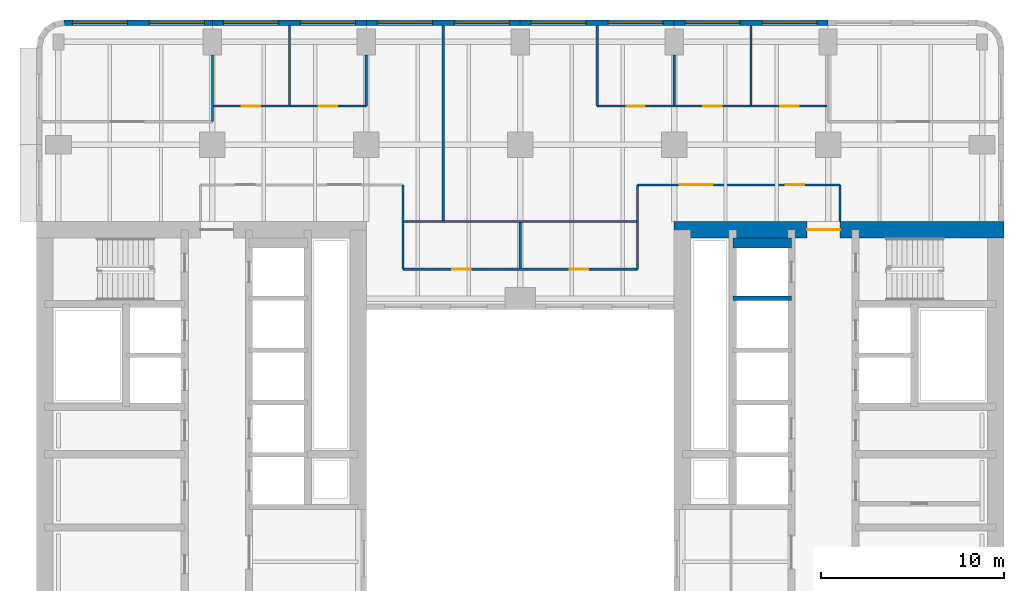
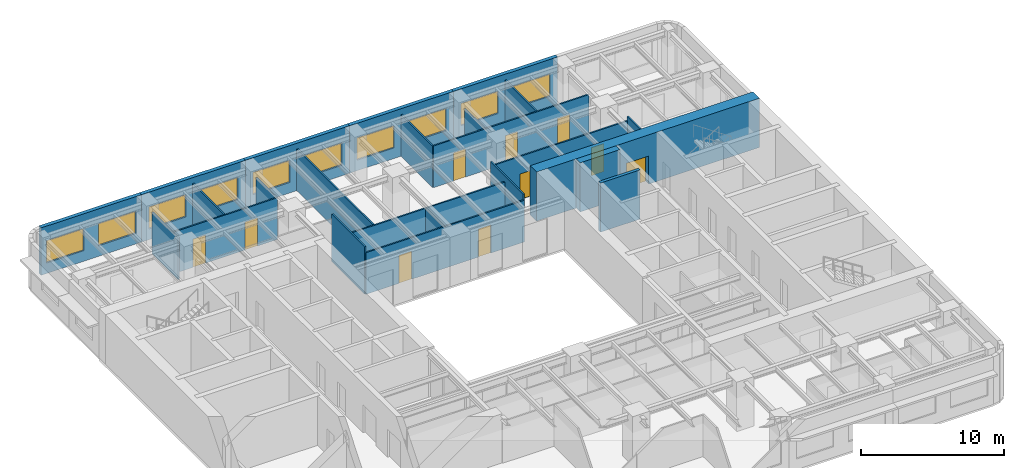
# One storey, part 7 of 11: 24 walls, 10 doors, 10 windows, 20 openings.
"""IFC4 building model written with IfcOpenShell, lengths in metres."""

from ifc_helpers import new_model, si_unit, direction, frame, frame_2d, origin, place, context, subcontext, project, spatial, rectangle, extrude, material, layer, layer_set, type_object, element, fill, save


model = new_model("IFC4")

# Units and contexts
model_context = context("Model", 3, precision=1e-05, world=origin(), true_north=direction((0.0, 1.0)))
body_context = subcontext(model_context, "Body", "Model", "MODEL_VIEW")
ifc_project = project(units=[si_unit("LENGTHUNIT", "METRE"), si_unit("AREAUNIT", "SQUARE_METRE"), si_unit("VOLUMEUNIT", "CUBIC_METRE"), si_unit("PLANEANGLEUNIT", "RADIAN"), si_unit("MASSUNIT", "GRAM", prefix="KILO")], contexts=[model_context])

# Site, building, storey
site_placement = place(None, origin())
site = spatial("IfcSite", under=ifc_project, at=site_placement, CompositionType="ELEMENT")
building_placement = place(site_placement, origin())
building = spatial("IfcBuilding", under=site, at=building_placement, Name="Claustro Exchange Tower", CompositionType="ELEMENT")
storey_placement = place(building_placement, frame((0.0, 0.0, 151.199951171875)))
storey = spatial("IfcBuildingStorey", under=building, at=storey_placement, Name="L34", CompositionType="ELEMENT", Elevation=151.199951171875)

# Wall, openings, doors
ifc_material_1 = material(Name="Laminated glass in aluminium frame", Category="aluminium")
ifc_layer_1 = layer(ifc_material_1, 0.1201171875)
ifc_layer_set_1 = layer_set([ifc_layer_1], Name="Laminated glass in aluminium frame")
wall_type_1 = type_object("IfcWallType", Name="P2 120 glazed partition", PredefinedType="PARTITIONING", material=ifc_layer_set_1)
wall_1_placement = place(storey_placement, frame((8.4580078125, 44.10009765625, 0.0), z_axis=(0.0, 0.0, 1.0), x_axis=(1.0, 0.0, 0.0)))
wall_1 = element("IfcWall", 1, at=wall_1_placement, inside=storey, type_object=wall_type_1, Name="Partition P2 L34", PredefinedType="PARTITIONING", context=body_context, shape_type="SweptSolid", body=[
    extrude(rectangle(XDim=8.342041015625, YDim=0.1201171875, at=frame_2d((4.1708984375, 0.0))), origin(), (0.0, 0.0, 1.0), 3.550048828125),
])
opening_1_placement = place(wall_1_placement, frame((1.5419921875, 0.0, 0.0)))
opening_1 = element("IfcOpeningElement", 2, at=opening_1_placement, cuts=wall_1, Name="Opening D7", PredefinedType="OPENING", context=body_context, shape_type="SweptSolid", body=[
    extrude(rectangle(XDim=1.0, YDim=2.39990234375, at=frame_2d((0.5, 1.199951171875))), frame((0.0, 0.070068359375, 0.0), z_axis=(0.0, -1.0, 0.0), x_axis=(1.0, 0.0, 0.0)), (0.0, 0.0, 1.0), 0.14013671875),
])
opening_2_placement = place(wall_1_placement, frame((5.741943359375, 0.0, 0.0)))
opening_2 = element("IfcOpeningElement", 3, at=opening_2_placement, cuts=wall_1, Name="Opening D7", PredefinedType="OPENING", context=body_context, shape_type="SweptSolid", body=[
    extrude(rectangle(XDim=1.0, YDim=2.39990234375, at=frame_2d((0.5, 1.199951171875))), frame((0.0, 0.070068359375, 0.0), z_axis=(0.0, -1.0, 0.0), x_axis=(1.0, 0.0, 0.0)), (0.0, 0.0, 1.0), 0.14013671875),
])
ifc_material_2 = material(Name="Glass door in aluminium frame", Category="aluminium")
door_type_1 = type_object("IfcDoorType", Name="D7 1000 x 2400 glazed door", OperationType="SINGLE_SWING_LEFT", PredefinedType="DOOR", material=ifc_material_2)
door_1_placement = place(opening_1_placement, origin())
door_1 = element("IfcDoor", 4, at=door_1_placement, inside=storey, type_object=door_type_1, Name="Door D7 L34", OperationType="SINGLE_SWING_RIGHT", OverallHeight=2.39990234375, OverallWidth=1.0, PredefinedType="DOOR", context=body_context, shape_type="SweptSolid", body=[
    extrude(rectangle(XDim=1.0, YDim=2.39990234375, at=frame_2d((0.5, 1.199951171875))), frame((0.0, 0.02490234375, 0.0), z_axis=(0.0, -1.0, 0.0), x_axis=(1.0, 0.0, 0.0)), (0.0, 0.0, 1.0), 0.050048828125),
])
fill(opening_1, door_1)
door_2_placement = place(opening_2_placement, origin())
door_2 = element("IfcDoor", 5, at=door_2_placement, inside=storey, type_object=door_type_1, Name="Door D7 L34", OperationType="SINGLE_SWING_LEFT", OverallHeight=2.39990234375, OverallWidth=1.0, PredefinedType="DOOR", context=body_context, shape_type="SweptSolid", body=[
    extrude(rectangle(XDim=1.0, YDim=2.39990234375, at=frame_2d((0.5, 1.199951171875))), frame((0.0, 0.02490234375, 0.0), z_axis=(0.0, -1.0, 0.0), x_axis=(1.0, 0.0, 0.0)), (0.0, 0.0, 1.0), 0.050048828125),
])
fill(opening_2, door_2)

# Walls
wall_2_placement = place(storey_placement, frame((8.39990234375, 43.25, 0.0), z_axis=(0.0, 0.0, 1.0), x_axis=(0.0, 1.0, 0.0)))
element("IfcWall", 6, at=wall_2_placement, inside=storey, type_object=wall_type_1, Name="Partition P2 L34", PredefinedType="PARTITIONING", context=body_context, shape_type="SweptSolid", body=[
    extrude(rectangle(XDim=3.65087890625, YDim=0.1201171875, at=frame_2d((1.825439453125, 0.0))), origin(), (0.0, 0.0, 1.0), 3.550048828125),
])
wall_3_placement = place(storey_placement, frame((12.60009765625, 44.157958984375, 0.0), z_axis=(0.0, 0.0, 1.0), x_axis=(0.0, 1.0, 0.0)))
element("IfcWall", 7, at=wall_3_placement, inside=storey, type_object=wall_type_1, Name="Partition P2 L34", PredefinedType="PARTITIONING", context=body_context, shape_type="SweptSolid", body=[
    extrude(rectangle(XDim=4.343994140625, YDim=0.1201171875, at=frame_2d((2.171875, 0.0))), origin(), (0.0, 0.0, 1.0), 3.56005859375),
])
wall_4_placement = place(storey_placement, frame((16.800048828125, 44.10009765625, 0.0), z_axis=(0.0, 0.0, 1.0), x_axis=(0.0, 1.0, 0.0)))
element("IfcWall", 8, at=wall_4_placement, inside=storey, type_object=wall_type_1, Name="Partition P2 L34", PredefinedType="PARTITIONING", context=body_context, shape_type="SweptSolid", body=[
    extrude(rectangle(XDim=2.80078125, YDim=0.1201171875, at=frame_2d((1.400390625, 0.0))), origin(), (0.0, 0.0, 1.0), 3.550048828125),
])

# Wall, openings, doors
wall_5_placement = place(storey_placement, frame((29.39990234375, 44.10009765625, 0.0), z_axis=(0.0, 0.0, 1.0), x_axis=(1.0, 0.0, 0.0)))
wall_5 = element("IfcWall", 9, at=wall_5_placement, inside=storey, type_object=wall_type_1, Name="Partition P2 L34", PredefinedType="PARTITIONING", context=body_context, shape_type="SweptSolid", body=[
    extrude(rectangle(XDim=12.5419921875, YDim=0.1201171875, at=frame_2d((6.27099609375, 0.0))), origin(), (0.0, 0.0, 1.0), 3.550048828125),
])
opening_3_placement = place(wall_5_placement, frame((1.60009765625, 0.0, 0.0)))
opening_3 = element("IfcOpeningElement", 10, at=opening_3_placement, cuts=wall_5, Name="Opening D7", PredefinedType="OPENING", context=body_context, shape_type="SweptSolid", body=[
    extrude(rectangle(XDim=1.0, YDim=2.39990234375, at=frame_2d((0.5, 1.199951171875))), frame((0.0, 0.070068359375, 0.0), z_axis=(0.0, -1.0, 0.0), x_axis=(1.0, 0.0, 0.0)), (0.0, 0.0, 1.0), 0.14013671875),
])
opening_4_placement = place(wall_5_placement, frame((5.800048828125, 0.0, 0.0)))
opening_4 = element("IfcOpeningElement", 11, at=opening_4_placement, cuts=wall_5, Name="Opening D7", PredefinedType="OPENING", context=body_context, shape_type="SweptSolid", body=[
    extrude(rectangle(XDim=1.0, YDim=2.39990234375, at=frame_2d((0.5, 1.199951171875))), frame((0.0, 0.070068359375, 0.0), z_axis=(0.0, -1.0, 0.0), x_axis=(1.0, 0.0, 0.0)), (0.0, 0.0, 1.0), 0.14013671875),
])
opening_5_placement = place(wall_5_placement, frame((10.0, 0.0, 0.0)))
opening_5 = element("IfcOpeningElement", 12, at=opening_5_placement, cuts=wall_5, Name="Opening D7", PredefinedType="OPENING", context=body_context, shape_type="SweptSolid", body=[
    extrude(rectangle(XDim=1.0, YDim=2.39990234375, at=frame_2d((0.5, 1.199951171875))), frame((0.0, 0.070068359375, 0.0), z_axis=(0.0, -1.0, 0.0), x_axis=(1.0, 0.0, 0.0)), (0.0, 0.0, 1.0), 0.14013671875),
])
door_3_placement = place(opening_3_placement, origin())
door_3 = element("IfcDoor", 13, at=door_3_placement, inside=storey, type_object=door_type_1, Name="Door D7 L34", OperationType="SINGLE_SWING_LEFT", OverallHeight=2.39990234375, OverallWidth=1.0, PredefinedType="DOOR", context=body_context, shape_type="SweptSolid", body=[
    extrude(rectangle(XDim=1.0, YDim=2.39990234375, at=frame_2d((0.5, 1.199951171875))), frame((0.0, 0.02490234375, 0.0), z_axis=(0.0, -1.0, 0.0), x_axis=(1.0, 0.0, 0.0)), (0.0, 0.0, 1.0), 0.050048828125),
])
fill(opening_3, door_3)
door_4_placement = place(opening_4_placement, origin())
door_4 = element("IfcDoor", 14, at=door_4_placement, inside=storey, type_object=door_type_1, Name="Door D7 L34", OperationType="SINGLE_SWING_LEFT", OverallHeight=2.39990234375, OverallWidth=1.0, PredefinedType="DOOR", context=body_context, shape_type="SweptSolid", body=[
    extrude(rectangle(XDim=1.0, YDim=2.39990234375, at=frame_2d((0.5, 1.199951171875))), frame((0.0, 0.02490234375, 0.0), z_axis=(0.0, -1.0, 0.0), x_axis=(1.0, 0.0, 0.0)), (0.0, 0.0, 1.0), 0.050048828125),
])
fill(opening_4, door_4)
door_5_placement = place(opening_5_placement, origin())
door_5 = element("IfcDoor", 15, at=door_5_placement, inside=storey, type_object=door_type_1, Name="Door D7 L34", OperationType="SINGLE_SWING_LEFT", OverallHeight=2.39990234375, OverallWidth=1.0, PredefinedType="DOOR", context=body_context, shape_type="SweptSolid", body=[
    extrude(rectangle(XDim=1.0, YDim=2.39990234375, at=frame_2d((0.5, 1.199951171875))), frame((0.0, 0.02490234375, 0.0), z_axis=(0.0, -1.0, 0.0), x_axis=(1.0, 0.0, 0.0)), (0.0, 0.0, 1.0), 0.050048828125),
])
fill(opening_5, door_5)

# Walls
wall_6_placement = place(storey_placement, frame((29.39990234375, 44.10009765625, 0.0), z_axis=(0.0, 0.0, 1.0), x_axis=(0.0, 1.0, 0.0)))
element("IfcWall", 16, at=wall_6_placement, inside=storey, type_object=wall_type_1, Name="Partition P2 L34", PredefinedType="PARTITIONING", context=body_context, shape_type="SweptSolid", body=[
    extrude(rectangle(XDim=4.40185546875, YDim=0.1201171875, at=frame_2d((2.200927734375, 0.0))), origin(), (0.0, 0.0, 1.0), 3.56005859375),
])
wall_7_placement = place(storey_placement, frame((33.60009765625, 44.157958984375, 0.0), z_axis=(0.0, 0.0, 1.0), x_axis=(0.0, 1.0, 0.0)))
element("IfcWall", 17, at=wall_7_placement, inside=storey, type_object=wall_type_1, Name="Partition P2 L34", PredefinedType="PARTITIONING", context=body_context, shape_type="SweptSolid", body=[
    extrude(rectangle(XDim=2.742919921875, YDim=0.1201171875, at=frame_2d((1.37158203125, 0.0))), origin(), (0.0, 0.0, 1.0), 3.550048828125),
])
wall_8_placement = place(storey_placement, frame((37.800048828125, 44.157958984375, 0.0), z_axis=(0.0, 0.0, 1.0), x_axis=(0.0, 1.0, 0.0)))
element("IfcWall", 18, at=wall_8_placement, inside=storey, type_object=wall_type_1, Name="Partition P2 L34", PredefinedType="PARTITIONING", context=body_context, shape_type="SweptSolid", body=[
    extrude(rectangle(XDim=4.343994140625, YDim=0.1201171875, at=frame_2d((2.171875, 0.0))), origin(), (0.0, 0.0, 1.0), 3.56005859375),
])
wall_9_placement = place(storey_placement, frame((21.0, 37.85791015625, 0.0), z_axis=(0.0, 0.0, 1.0), x_axis=(0.0, 1.0, 0.0)))
element("IfcWall", 19, at=wall_9_placement, inside=storey, type_object=wall_type_1, Name="Partition P2 L34", PredefinedType="PARTITIONING", context=body_context, shape_type="SweptSolid", body=[
    extrude(rectangle(XDim=10.64404296875, YDim=0.1201171875, at=frame_2d((5.322021484375, 0.0))), origin(), (0.0, 0.0, 1.0), 3.550048828125),
])

# Wall, openings, doors
wall_10_placement = place(storey_placement, frame((31.60009765625, 39.800048828125, 0.0), z_axis=(0.0, 0.0, 1.0), x_axis=(1.0, 0.0, 0.0)))
wall_10 = element("IfcWall", 20, at=wall_10_placement, inside=storey, type_object=wall_type_1, Name="Partition P2 L34", PredefinedType="PARTITIONING", context=body_context, shape_type="SweptSolid", body=[
    extrude(rectangle(XDim=11.0498046875, YDim=0.1201171875, at=frame_2d((5.52490234375, 0.0))), origin(), (0.0, 0.0, 1.0), 3.68994140625),
])
opening_6_placement = place(wall_10_placement, frame((2.300048828125, 0.0, 0.0)))
opening_6 = element("IfcOpeningElement", 21, at=opening_6_placement, cuts=wall_10, Name="Opening D2", PredefinedType="OPENING", context=body_context, shape_type="SweptSolid", body=[
    extrude(rectangle(XDim=1.800048828125, YDim=2.199951171875, at=frame_2d((0.89990234375, 1.10009765625))), frame((0.0, 0.070068359375, 0.0), z_axis=(0.0, -1.0, 0.0), x_axis=(1.0, 0.0, 0.0)), (0.0, 0.0, 1.0), 0.14013671875),
])
opening_7_placement = place(wall_10_placement, frame((8.10009765625, 0.0, 0.0)))
opening_7 = element("IfcOpeningElement", 22, at=opening_7_placement, cuts=wall_10, Name="Opening D7", PredefinedType="OPENING", context=body_context, shape_type="SweptSolid", body=[
    extrude(rectangle(XDim=1.0, YDim=2.39990234375, at=frame_2d((0.5, 1.199951171875))), frame((0.0, 0.070068359375, 0.0), z_axis=(0.0, -1.0, 0.0), x_axis=(1.0, 0.0, 0.0)), (0.0, 0.0, 1.0), 0.14013671875),
])
ifc_material_3 = material(Name="Timber door, oak veneer", Category="wood")
door_type_2 = type_object("IfcDoorType", Name="D2 1800 x 2200 double door", OperationType="DOUBLE_DOOR_SINGLE_SWING", PredefinedType="DOOR", material=ifc_material_3)
door_6_placement = place(opening_6_placement, origin())
door_6 = element("IfcDoor", 23, at=door_6_placement, inside=storey, type_object=door_type_2, Name="Double door D2 L34", OperationType="DOUBLE_DOOR_SINGLE_SWING", OverallHeight=2.199951171875, OverallWidth=1.800048828125, PredefinedType="DOOR", context=body_context, shape_type="SweptSolid", body=[
    extrude(rectangle(XDim=1.800048828125, YDim=2.199951171875, at=frame_2d((0.89990234375, 1.10009765625))), frame((0.0, 0.02490234375, 0.0), z_axis=(0.0, -1.0, 0.0), x_axis=(1.0, 0.0, 0.0)), (0.0, 0.0, 1.0), 0.050048828125),
])
fill(opening_6, door_6)
door_7_placement = place(opening_7_placement, origin())
door_7 = element("IfcDoor", 24, at=door_7_placement, inside=storey, type_object=door_type_1, Name="Door D7 L34", OperationType="SINGLE_SWING_RIGHT", OverallHeight=2.39990234375, OverallWidth=1.0, PredefinedType="DOOR", context=body_context, shape_type="SweptSolid", body=[
    extrude(rectangle(XDim=1.0, YDim=2.39990234375, at=frame_2d((0.5, 1.199951171875))), frame((0.0, 0.02490234375, 0.0), z_axis=(0.0, -1.0, 0.0), x_axis=(1.0, 0.0, 0.0)), (0.0, 0.0, 1.0), 0.050048828125),
])
fill(opening_7, door_7)

# Walls
wall_11_placement = place(storey_placement, frame((42.64990234375, 37.800048828125, 0.0), z_axis=(0.0, 0.0, 1.0), x_axis=(0.0, 1.0, 0.0)))
element("IfcWall", 25, at=wall_11_placement, inside=storey, type_object=wall_type_1, Name="Partition P2 L34", PredefinedType="PARTITIONING", context=body_context, shape_type="SweptSolid", body=[
    extrude(rectangle(XDim=2.0, YDim=0.1201171875, at=frame_2d((1.0, 0.0))), origin(), (0.0, 0.0, 1.0), 4.050048828125),
])
for number, where, z_axis, x_axis, name in (
    (26, (18.800048828125, 35.199951171875, 0.0), (0.0, 0.0, 1.0), (0.0, 1.0, 0.0), "Partition P2 L34"),
    (27, (31.60009765625, 35.199951171875, 0.0), (0.0, 0.0, 1.0), (0.0, 1.0, 0.0), "Partition P2 L34"),
):
    element("IfcWall", number, at=place(storey_placement, frame(where, z_axis=z_axis, x_axis=x_axis)), inside=storey, type_object=wall_type_1, Name=name, PredefinedType="PARTITIONING", context=body_context, shape_type="SweptSolid", body=[
        extrude(rectangle(XDim=4.60009765625, YDim=0.1201171875, at=frame_2d((2.300048828125, 0.0))), origin(), (0.0, 0.0, 1.0), 4.050048828125),
    ])
wall_12_placement = place(storey_placement, frame((25.199951171875, 35.258056640625, 0.0), z_axis=(0.0, 0.0, 1.0), x_axis=(0.0, 1.0, 0.0)))
element("IfcWall", 28, at=wall_12_placement, inside=storey, type_object=wall_type_1, Name="Partition P2 L34", PredefinedType="PARTITIONING", context=body_context, shape_type="SweptSolid", body=[
    extrude(rectangle(XDim=2.48388671875, YDim=0.1201171875, at=frame_2d((1.241943359375, 0.0))), origin(), (0.0, 0.0, 1.0), 3.550048828125),
])

# Wall, openings, doors
wall_13_placement = place(storey_placement, frame((18.800048828125, 35.199951171875, 0.0), z_axis=(0.0, 0.0, 1.0), x_axis=(1.0, 0.0, 0.0)))
wall_13 = element("IfcWall", 29, at=wall_13_placement, inside=storey, type_object=wall_type_1, Name="Partition P2 L34", PredefinedType="PARTITIONING", context=body_context, shape_type="SweptSolid", body=[
    extrude(rectangle(XDim=12.800048828125, YDim=0.1201171875, at=frame_2d((6.39990234375, 0.0))), origin(), (0.0, 0.0, 1.0), 3.550048828125),
])
opening_8_placement = place(wall_13_placement, frame((2.699951171875, 0.0, 0.0)))
opening_8 = element("IfcOpeningElement", 30, at=opening_8_placement, cuts=wall_13, Name="Opening D7", PredefinedType="OPENING", context=body_context, shape_type="SweptSolid", body=[
    extrude(rectangle(XDim=1.0, YDim=2.39990234375, at=frame_2d((0.5, 1.199951171875))), frame((0.0, 0.070068359375, 0.0), z_axis=(0.0, -1.0, 0.0), x_axis=(1.0, 0.0, 0.0)), (0.0, 0.0, 1.0), 0.14013671875),
])
opening_9_placement = place(wall_13_placement, frame((9.10009765625, 0.0, 0.0)))
opening_9 = element("IfcOpeningElement", 31, at=opening_9_placement, cuts=wall_13, Name="Opening D7", PredefinedType="OPENING", context=body_context, shape_type="SweptSolid", body=[
    extrude(rectangle(XDim=1.0, YDim=2.39990234375, at=frame_2d((0.5, 1.199951171875))), frame((0.0, 0.070068359375, 0.0), z_axis=(0.0, -1.0, 0.0), x_axis=(1.0, 0.0, 0.0)), (0.0, 0.0, 1.0), 0.14013671875),
])
door_8_placement = place(opening_8_placement, origin())
door_8 = element("IfcDoor", 32, at=door_8_placement, inside=storey, type_object=door_type_1, Name="Door D7 L34", OperationType="SINGLE_SWING_RIGHT", OverallHeight=2.39990234375, OverallWidth=1.0, PredefinedType="DOOR", context=body_context, shape_type="SweptSolid", body=[
    extrude(rectangle(XDim=1.0, YDim=2.39990234375, at=frame_2d((0.5, 1.199951171875))), frame((0.0, 0.02490234375, 0.0), z_axis=(0.0, -1.0, 0.0), x_axis=(1.0, 0.0, 0.0)), (0.0, 0.0, 1.0), 0.050048828125),
])
fill(opening_8, door_8)
door_9_placement = place(opening_9_placement, origin())
door_9 = element("IfcDoor", 33, at=door_9_placement, inside=storey, type_object=door_type_1, Name="Door D7 L34", OperationType="SINGLE_SWING_LEFT", OverallHeight=2.39990234375, OverallWidth=1.0, PredefinedType="DOOR", context=body_context, shape_type="SweptSolid", body=[
    extrude(rectangle(XDim=1.0, YDim=2.39990234375, at=frame_2d((0.5, 1.199951171875))), frame((0.0, 0.02490234375, 0.0), z_axis=(0.0, -1.0, 0.0), x_axis=(1.0, 0.0, 0.0)), (0.0, 0.0, 1.0), 0.050048828125),
])
fill(opening_9, door_9)

# Wall
wall_14_placement = place(storey_placement, frame((18.85791015625, 37.800048828125, 0.0), z_axis=(0.0, 0.0, 1.0), x_axis=(1.0, 0.0, 0.0)))
element("IfcWall", 34, at=wall_14_placement, inside=storey, type_object=wall_type_1, Name="Partition P2 L34", PredefinedType="PARTITIONING", context=body_context, shape_type="SweptSolid", body=[
    extrude(rectangle(XDim=12.68408203125, YDim=0.1201171875, at=frame_2d((6.342041015625, 0.0))), origin(), (0.0, 0.0, 1.0), 3.550048828125),
])

# Wall, openings, windows
ifc_material_4 = material(Name="Concrete HA-40 (C40/50), precast, white cement, acid-etched", Category="concrete")
ifc_layer_2 = layer(ifc_material_4, 0.300048828125)
ifc_layer_set_2 = layer_set([ifc_layer_2], Name="Concrete HA-40 (C40/50), precast, white cement, acid-etched")
wall_type_2 = type_object("IfcWallType", Name="PC1 300 precast concrete pier panel", PredefinedType="SOLIDWALL", material=ifc_layer_set_2)
wall_15_placement = place(storey_placement, frame((0.314697265625, 48.64990234375, 0.0), z_axis=(0.0, 0.0, 1.0), x_axis=(1.0, 0.0, 0.0)))
wall_15 = element("IfcWall", 35, at=wall_15_placement, inside=storey, type_object=wall_type_2, Name="Precast pier panel PC1 L34", PredefinedType="SOLIDWALL", context=body_context, shape_type="SweptSolid", body=[
    extrude(rectangle(XDim=8.085205078125, YDim=0.300048828125, at=frame_2d((4.04248046875, 0.0))), origin(), (0.0, 0.0, 1.0), 4.050048828125),
])
opening_10_placement = place(wall_15_placement, frame((0.442626953125, 0.0, 0.89990234375)))
opening_10 = element("IfcOpeningElement", 36, at=opening_10_placement, cuts=wall_15, Name="Opening W1", PredefinedType="OPENING", context=body_context, shape_type="SweptSolid", body=[
    extrude(rectangle(XDim=3.0, YDim=1.89990234375, at=frame_2d((1.5, 0.949951171875))), frame((0.0, 0.159912109375, 0.0), z_axis=(0.0, -1.0, 0.0), x_axis=(1.0, 0.0, 0.0)), (0.0, 0.0, 1.0), 0.320068359375),
])
opening_11_placement = place(wall_15_placement, frame((4.642578125, 0.0, 0.89990234375)))
opening_11 = element("IfcOpeningElement", 37, at=opening_11_placement, cuts=wall_15, Name="Opening W1", PredefinedType="OPENING", context=body_context, shape_type="SweptSolid", body=[
    extrude(rectangle(XDim=3.0, YDim=1.89990234375, at=frame_2d((1.5, 0.949951171875))), frame((0.0, 0.159912109375, 0.0), z_axis=(0.0, -1.0, 0.0), x_axis=(1.0, 0.0, 0.0)), (0.0, 0.0, 1.0), 0.320068359375),
])
ifc_material_5 = material(Name="Aluminium frame, clear double glazing", Category="aluminium")
window_type = type_object("IfcWindowType", Name="W1 3000 x 1900 window", PartitioningType="SINGLE_PANEL", PredefinedType="WINDOW", material=ifc_material_5)
window_1_placement = place(opening_10_placement, origin())
window_1 = element("IfcWindow", 38, at=window_1_placement, inside=storey, type_object=window_type, Name="Window W1 L34", OverallHeight=1.89990234375, OverallWidth=3.0, PartitioningType="SINGLE_PANEL", PredefinedType="WINDOW", context=body_context, shape_type="SweptSolid", body=[
    extrude(rectangle(XDim=3.0, YDim=1.89990234375, at=frame_2d((1.5, 0.949951171875))), frame((0.0, 0.030029296875, 0.0), z_axis=(0.0, -1.0, 0.0), x_axis=(1.0, 0.0, 0.0)), (0.0, 0.0, 1.0), 0.06005859375),
])
fill(opening_10, window_1)
window_2_placement = place(opening_11_placement, origin())
window_2 = element("IfcWindow", 39, at=window_2_placement, inside=storey, type_object=window_type, Name="Window W1 L34", OverallHeight=1.89990234375, OverallWidth=3.0, PartitioningType="SINGLE_PANEL", PredefinedType="WINDOW", context=body_context, shape_type="SweptSolid", body=[
    extrude(rectangle(XDim=3.0, YDim=1.89990234375, at=frame_2d((1.5, 0.949951171875))), frame((0.0, 0.030029296875, 0.0), z_axis=(0.0, -1.0, 0.0), x_axis=(1.0, 0.0, 0.0)), (0.0, 0.0, 1.0), 0.06005859375),
])
fill(opening_11, window_2)

wall_16_placement = place(storey_placement, frame((8.39990234375, 48.64990234375, 0.0), z_axis=(0.0, 0.0, 1.0), x_axis=(1.0, 0.0, 0.0)))
wall_16 = element("IfcWall", 40, at=wall_16_placement, inside=storey, type_object=wall_type_2, Name="Precast pier panel PC1 L34", PredefinedType="SOLIDWALL", context=body_context, shape_type="SweptSolid", body=[
    extrude(rectangle(XDim=8.400146484375, YDim=0.300048828125, at=frame_2d((4.2001953125, 0.0))), origin(), (0.0, 0.0, 1.0), 4.050048828125),
])
opening_12_placement = place(wall_16_placement, frame((0.60009765625, 0.0, 0.89990234375)))
opening_12 = element("IfcOpeningElement", 41, at=opening_12_placement, cuts=wall_16, Name="Opening W1", PredefinedType="OPENING", context=body_context, shape_type="SweptSolid", body=[
    extrude(rectangle(XDim=3.0, YDim=1.89990234375, at=frame_2d((1.5, 0.949951171875))), frame((0.0, 0.159912109375, 0.0), z_axis=(0.0, -1.0, 0.0), x_axis=(1.0, 0.0, 0.0)), (0.0, 0.0, 1.0), 0.320068359375),
])
opening_13_placement = place(wall_16_placement, frame((4.800048828125, 0.0, 0.89990234375)))
opening_13 = element("IfcOpeningElement", 42, at=opening_13_placement, cuts=wall_16, Name="Opening W1", PredefinedType="OPENING", context=body_context, shape_type="SweptSolid", body=[
    extrude(rectangle(XDim=3.0, YDim=1.89990234375, at=frame_2d((1.5, 0.949951171875))), frame((0.0, 0.159912109375, 0.0), z_axis=(0.0, -1.0, 0.0), x_axis=(1.0, 0.0, 0.0)), (0.0, 0.0, 1.0), 0.320068359375),
])
window_3_placement = place(opening_12_placement, origin())
window_3 = element("IfcWindow", 43, at=window_3_placement, inside=storey, type_object=window_type, Name="Window W1 L34", OverallHeight=1.89990234375, OverallWidth=3.0, PartitioningType="SINGLE_PANEL", PredefinedType="WINDOW", context=body_context, shape_type="SweptSolid", body=[
    extrude(rectangle(XDim=3.0, YDim=1.89990234375, at=frame_2d((1.5, 0.949951171875))), frame((0.0, 0.030029296875, 0.0), z_axis=(0.0, -1.0, 0.0), x_axis=(1.0, 0.0, 0.0)), (0.0, 0.0, 1.0), 0.06005859375),
])
fill(opening_12, window_3)
window_4_placement = place(opening_13_placement, origin())
window_4 = element("IfcWindow", 44, at=window_4_placement, inside=storey, type_object=window_type, Name="Window W1 L34", OverallHeight=1.89990234375, OverallWidth=3.0, PartitioningType="SINGLE_PANEL", PredefinedType="WINDOW", context=body_context, shape_type="SweptSolid", body=[
    extrude(rectangle(XDim=3.0, YDim=1.89990234375, at=frame_2d((1.5, 0.949951171875))), frame((0.0, 0.030029296875, 0.0), z_axis=(0.0, -1.0, 0.0), x_axis=(1.0, 0.0, 0.0)), (0.0, 0.0, 1.0), 0.06005859375),
])
fill(opening_13, window_4)

wall_17_placement = place(storey_placement, frame((16.800048828125, 48.64990234375, 0.0), z_axis=(0.0, 0.0, 1.0), x_axis=(1.0, 0.0, 0.0)))
wall_17 = element("IfcWall", 45, at=wall_17_placement, inside=storey, type_object=wall_type_2, Name="Precast pier panel PC1 L34", PredefinedType="SOLIDWALL", context=body_context, shape_type="SweptSolid", body=[
    extrude(rectangle(XDim=8.39990234375, YDim=0.300048828125, at=frame_2d((4.199951171875, 0.0))), origin(), (0.0, 0.0, 1.0), 4.050048828125),
])
opening_14_placement = place(wall_17_placement, frame((0.60009765625, 0.0, 0.89990234375)))
opening_14 = element("IfcOpeningElement", 46, at=opening_14_placement, cuts=wall_17, Name="Opening W1", PredefinedType="OPENING", context=body_context, shape_type="SweptSolid", body=[
    extrude(rectangle(XDim=3.0, YDim=1.89990234375, at=frame_2d((1.5, 0.949951171875))), frame((0.0, 0.159912109375, 0.0), z_axis=(0.0, -1.0, 0.0), x_axis=(1.0, 0.0, 0.0)), (0.0, 0.0, 1.0), 0.320068359375),
])
opening_15_placement = place(wall_17_placement, frame((4.800048828125, 0.0, 0.89990234375)))
opening_15 = element("IfcOpeningElement", 47, at=opening_15_placement, cuts=wall_17, Name="Opening W1", PredefinedType="OPENING", context=body_context, shape_type="SweptSolid", body=[
    extrude(rectangle(XDim=3.0, YDim=1.89990234375, at=frame_2d((1.5, 0.949951171875))), frame((0.0, 0.159912109375, 0.0), z_axis=(0.0, -1.0, 0.0), x_axis=(1.0, 0.0, 0.0)), (0.0, 0.0, 1.0), 0.320068359375),
])
window_5_placement = place(opening_14_placement, origin())
window_5 = element("IfcWindow", 48, at=window_5_placement, inside=storey, type_object=window_type, Name="Window W1 L34", OverallHeight=1.89990234375, OverallWidth=3.0, PartitioningType="SINGLE_PANEL", PredefinedType="WINDOW", context=body_context, shape_type="SweptSolid", body=[
    extrude(rectangle(XDim=3.0, YDim=1.89990234375, at=frame_2d((1.5, 0.949951171875))), frame((0.0, 0.030029296875, 0.0), z_axis=(0.0, -1.0, 0.0), x_axis=(1.0, 0.0, 0.0)), (0.0, 0.0, 1.0), 0.06005859375),
])
fill(opening_14, window_5)
window_6_placement = place(opening_15_placement, origin())
window_6 = element("IfcWindow", 49, at=window_6_placement, inside=storey, type_object=window_type, Name="Window W1 L34", OverallHeight=1.89990234375, OverallWidth=3.0, PartitioningType="SINGLE_PANEL", PredefinedType="WINDOW", context=body_context, shape_type="SweptSolid", body=[
    extrude(rectangle(XDim=3.0, YDim=1.89990234375, at=frame_2d((1.5, 0.949951171875))), frame((0.0, 0.030029296875, 0.0), z_axis=(0.0, -1.0, 0.0), x_axis=(1.0, 0.0, 0.0)), (0.0, 0.0, 1.0), 0.06005859375),
])
fill(opening_15, window_6)

wall_18_placement = place(storey_placement, frame((25.199951171875, 48.64990234375, 0.0), z_axis=(0.0, 0.0, 1.0), x_axis=(1.0, 0.0, 0.0)))
wall_18 = element("IfcWall", 50, at=wall_18_placement, inside=storey, type_object=wall_type_2, Name="Precast pier panel PC1 L34", PredefinedType="SOLIDWALL", context=body_context, shape_type="SweptSolid", body=[
    extrude(rectangle(XDim=8.400146484375, YDim=0.300048828125, at=frame_2d((4.2001953125, 0.0))), origin(), (0.0, 0.0, 1.0), 4.050048828125),
])
opening_16_placement = place(wall_18_placement, frame((0.60009765625, 0.0, 0.89990234375)))
opening_16 = element("IfcOpeningElement", 51, at=opening_16_placement, cuts=wall_18, Name="Opening W1", PredefinedType="OPENING", context=body_context, shape_type="SweptSolid", body=[
    extrude(rectangle(XDim=3.0, YDim=1.89990234375, at=frame_2d((1.5, 0.949951171875))), frame((0.0, 0.159912109375, 0.0), z_axis=(0.0, -1.0, 0.0), x_axis=(1.0, 0.0, 0.0)), (0.0, 0.0, 1.0), 0.320068359375),
])
opening_17_placement = place(wall_18_placement, frame((4.800048828125, 0.0, 0.89990234375)))
opening_17 = element("IfcOpeningElement", 52, at=opening_17_placement, cuts=wall_18, Name="Opening W1", PredefinedType="OPENING", context=body_context, shape_type="SweptSolid", body=[
    extrude(rectangle(XDim=3.0, YDim=1.89990234375, at=frame_2d((1.5, 0.949951171875))), frame((0.0, 0.159912109375, 0.0), z_axis=(0.0, -1.0, 0.0), x_axis=(1.0, 0.0, 0.0)), (0.0, 0.0, 1.0), 0.320068359375),
])
window_7_placement = place(opening_16_placement, origin())
window_7 = element("IfcWindow", 53, at=window_7_placement, inside=storey, type_object=window_type, Name="Window W1 L34", OverallHeight=1.89990234375, OverallWidth=3.0, PartitioningType="SINGLE_PANEL", PredefinedType="WINDOW", context=body_context, shape_type="SweptSolid", body=[
    extrude(rectangle(XDim=3.0, YDim=1.89990234375, at=frame_2d((1.5, 0.949951171875))), frame((0.0, 0.030029296875, 0.0), z_axis=(0.0, -1.0, 0.0), x_axis=(1.0, 0.0, 0.0)), (0.0, 0.0, 1.0), 0.06005859375),
])
fill(opening_16, window_7)
window_8_placement = place(opening_17_placement, origin())
window_8 = element("IfcWindow", 54, at=window_8_placement, inside=storey, type_object=window_type, Name="Window W1 L34", OverallHeight=1.89990234375, OverallWidth=3.0, PartitioningType="SINGLE_PANEL", PredefinedType="WINDOW", context=body_context, shape_type="SweptSolid", body=[
    extrude(rectangle(XDim=3.0, YDim=1.89990234375, at=frame_2d((1.5, 0.949951171875))), frame((0.0, 0.030029296875, 0.0), z_axis=(0.0, -1.0, 0.0), x_axis=(1.0, 0.0, 0.0)), (0.0, 0.0, 1.0), 0.06005859375),
])
fill(opening_17, window_8)

wall_19_placement = place(storey_placement, frame((33.60009765625, 48.64990234375, 0.0), z_axis=(0.0, 0.0, 1.0), x_axis=(1.0, 0.0, 0.0)))
wall_19 = element("IfcWall", 55, at=wall_19_placement, inside=storey, type_object=wall_type_2, Name="Precast pier panel PC1 L34", PredefinedType="SOLIDWALL", context=body_context, shape_type="SweptSolid", body=[
    extrude(rectangle(XDim=8.39990234375, YDim=0.300048828125, at=frame_2d((4.199951171875, 0.0))), origin(), (0.0, 0.0, 1.0), 4.050048828125),
])
opening_18_placement = place(wall_19_placement, frame((0.60009765625, 0.0, 0.89990234375)))
opening_18 = element("IfcOpeningElement", 56, at=opening_18_placement, cuts=wall_19, Name="Opening W1", PredefinedType="OPENING", context=body_context, shape_type="SweptSolid", body=[
    extrude(rectangle(XDim=3.0, YDim=1.89990234375, at=frame_2d((1.5, 0.949951171875))), frame((0.0, 0.159912109375, 0.0), z_axis=(0.0, -1.0, 0.0), x_axis=(1.0, 0.0, 0.0)), (0.0, 0.0, 1.0), 0.320068359375),
])
opening_19_placement = place(wall_19_placement, frame((4.800048828125, 0.0, 0.89990234375)))
opening_19 = element("IfcOpeningElement", 57, at=opening_19_placement, cuts=wall_19, Name="Opening W1", PredefinedType="OPENING", context=body_context, shape_type="SweptSolid", body=[
    extrude(rectangle(XDim=3.0, YDim=1.89990234375, at=frame_2d((1.5, 0.949951171875))), frame((0.0, 0.159912109375, 0.0), z_axis=(0.0, -1.0, 0.0), x_axis=(1.0, 0.0, 0.0)), (0.0, 0.0, 1.0), 0.320068359375),
])
window_9_placement = place(opening_18_placement, origin())
window_9 = element("IfcWindow", 58, at=window_9_placement, inside=storey, type_object=window_type, Name="Window W1 L34", OverallHeight=1.89990234375, OverallWidth=3.0, PartitioningType="SINGLE_PANEL", PredefinedType="WINDOW", context=body_context, shape_type="SweptSolid", body=[
    extrude(rectangle(XDim=3.0, YDim=1.89990234375, at=frame_2d((1.5, 0.949951171875))), frame((0.0, 0.030029296875, 0.0), z_axis=(0.0, -1.0, 0.0), x_axis=(1.0, 0.0, 0.0)), (0.0, 0.0, 1.0), 0.06005859375),
])
fill(opening_18, window_9)
window_10_placement = place(opening_19_placement, origin())
window_10 = element("IfcWindow", 59, at=window_10_placement, inside=storey, type_object=window_type, Name="Window W1 L34", OverallHeight=1.89990234375, OverallWidth=3.0, PartitioningType="SINGLE_PANEL", PredefinedType="WINDOW", context=body_context, shape_type="SweptSolid", body=[
    extrude(rectangle(XDim=3.0, YDim=1.89990234375, at=frame_2d((1.5, 0.949951171875))), frame((0.0, 0.030029296875, 0.0), z_axis=(0.0, -1.0, 0.0), x_axis=(1.0, 0.0, 0.0)), (0.0, 0.0, 1.0), 0.06005859375),
])
fill(opening_19, window_10)

# Wall, opening, door
ifc_material_6 = material(Name="Concrete HA-70 (C70/85)", Category="concrete")
ifc_layer_3 = layer(ifc_material_6, 0.89990234375)
ifc_layer_set_3 = layer_set([ifc_layer_3], Name="Concrete HA-70 (C70/85)")
wall_type_3 = type_object("IfcWallType", Name="SW1 900 core shear wall", PredefinedType="SHEAR", material=ifc_layer_set_3)
wall_20_placement = place(storey_placement, frame((33.60009765625, 37.35009765625, 0.0), z_axis=(0.0, 0.0, 1.0), x_axis=(1.0, 0.0, 0.0)))
wall_20 = element("IfcWall", 60, at=wall_20_placement, inside=storey, type_object=wall_type_3, Name="Core wall SW1 E core N face L34", PredefinedType="SHEAR", context=body_context, shape_type="SweptSolid", body=[
    extrude(rectangle(XDim=18.0, YDim=0.89990234375, at=frame_2d((9.0, 0.0))), origin(), (0.0, 0.0, 1.0), 4.199951171875),
])
opening_20_placement = place(wall_20_placement, frame((7.25, 0.0, 0.0)))
opening_20 = element("IfcOpeningElement", 61, at=opening_20_placement, cuts=wall_20, Name="Opening D3", PredefinedType="OPENING", context=body_context, shape_type="SweptSolid", body=[
    extrude(rectangle(XDim=1.800048828125, YDim=2.39990234375, at=frame_2d((0.89990234375, 1.199951171875))), frame((0.0, 0.4599609375, 0.0), z_axis=(0.0, -1.0, 0.0), x_axis=(1.0, 0.0, 0.0)), (0.0, 0.0, 1.0), 0.919921875),
])
ifc_material_7 = material(Name="Steel fire door, painted", Category="steel")
door_type_3 = type_object("IfcDoorType", Name="D3 1800 x 2400 fire-rated lobby double door", OperationType="DOUBLE_DOOR_SINGLE_SWING", PredefinedType="DOOR", material=ifc_material_7)
door_10_placement = place(opening_20_placement, frame((1.800048828125, 0.0, 0.0), z_axis=(0.0, 0.0, 1.0), x_axis=(-1.0, 0.0, 0.0)))
door_10 = element("IfcDoor", 62, at=door_10_placement, inside=storey, type_object=door_type_3, Name="Lift lobby door D3 L34", OperationType="DOUBLE_DOOR_SINGLE_SWING", OverallHeight=2.39990234375, OverallWidth=1.800048828125, PredefinedType="DOOR", context=body_context, shape_type="SweptSolid", body=[
    extrude(rectangle(XDim=1.800048828125, YDim=2.39990234375, at=frame_2d((0.89990234375, 1.199951171875))), frame((0.0, 0.02490234375, 0.0), z_axis=(0.0, -1.0, 0.0), x_axis=(1.0, 0.0, 0.0)), (0.0, 0.0, 1.0), 0.050048828125),
])
fill(opening_20, door_10)

# Walls
ifc_material_8 = material(Name="Concrete HA-50 (C50/60)", Category="concrete")
ifc_layer_4 = layer(ifc_material_8, 0.25)
ifc_layer_set_4 = layer_set([ifc_layer_4], Name="Concrete HA-50 (C50/60)")
wall_type_4 = type_object("IfcWallType", Name="SW5 250 lift shaft divider wall", PredefinedType="SHEAR", material=ifc_layer_set_4)
wall_21_placement = place(storey_placement, frame((40.0, 33.625, 0.0), z_axis=(0.0, 0.0, 1.0), x_axis=(-1.0, 0.0, 0.0)))
element("IfcWall", 63, at=wall_21_placement, inside=storey, type_object=wall_type_4, Name="Lift shaft wall E core L34", PredefinedType="SHEAR", context=body_context, shape_type="SweptSolid", body=[
    extrude(rectangle(XDim=3.199951171875, YDim=0.25, at=frame_2d((1.60009765625, 0.0))), origin(), (0.0, 0.0, 1.0), 4.199951171875),
])
ifc_material_9 = material(Name="Concrete HA-50 (C50/60)", Category="concrete")
ifc_layer_5 = layer(ifc_material_9, 0.550048828125)
ifc_layer_set_5 = layer_set([ifc_layer_5], Name="Concrete HA-50 (C50/60)")
wall_type_5 = type_object("IfcWallType", Name="SW6 550 lift shaft end wall", PredefinedType="SHEAR", material=ifc_layer_set_5)
wall_22_placement = place(storey_placement, frame((40.0, 36.625, 0.0), z_axis=(0.0, 0.0, 1.0), x_axis=(-1.0, 0.0, 0.0)))
element("IfcWall", 64, at=wall_22_placement, inside=storey, type_object=wall_type_5, Name="Lift shaft wall E core L34", PredefinedType="SHEAR", context=body_context, shape_type="SweptSolid", body=[
    extrude(rectangle(XDim=3.199951171875, YDim=0.550048828125, at=frame_2d((1.60009765625, 0.0))), origin(), (0.0, 0.0, 1.0), 4.199951171875),
])

save(model, "model.ifc")
